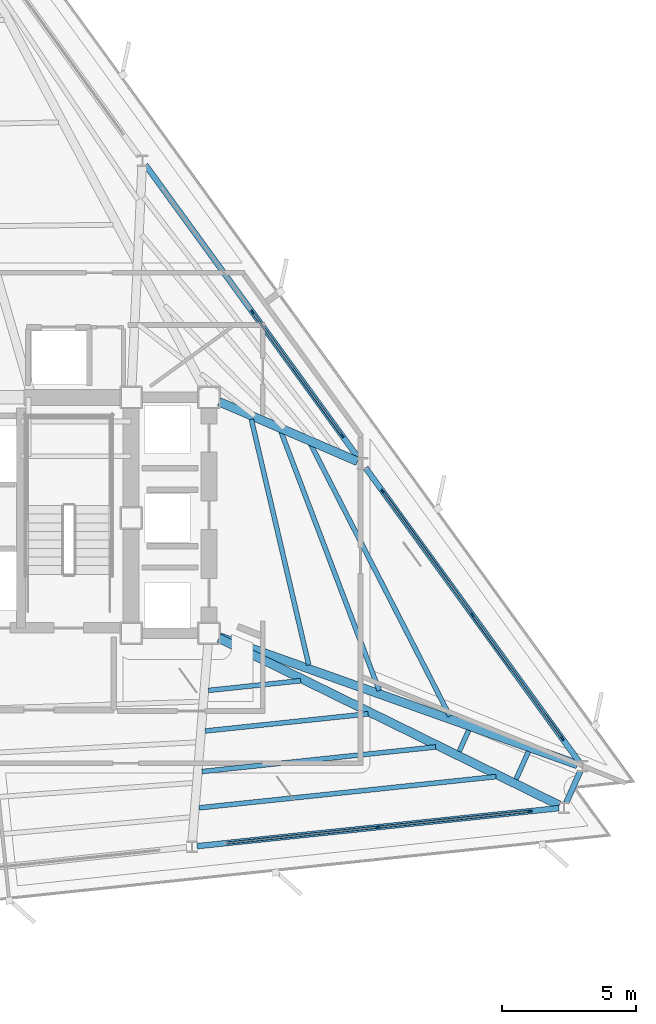
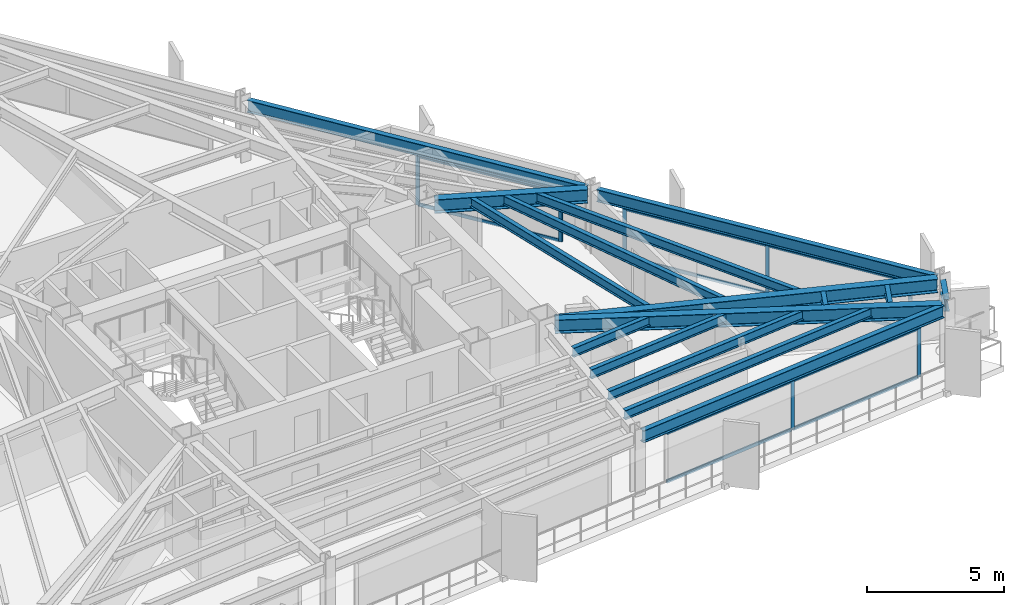
# One storey, part 5 of 12: 17 members, 16 beams, 3 elements without a shape of their own.
"""IFC4 building model written with IfcOpenShell, lengths in metres."""

from ifc_helpers import new_model, si_unit, direction, frame, origin, origin_2d, place, context, subcontext, project, spatial, rectangle, i_section, extrude, material, layer, layer_set, material_profile, profile_set, type_object, element, aggregate, save


model = new_model("IFC4")

# Units and contexts
model_context = context("Model", 3, precision=1e-05, world=origin(), true_north=direction((0.0, 1.0)))
body_context = subcontext(model_context, "Body", "Model", "MODEL_VIEW")
ifc_project = project(units=[si_unit("LENGTHUNIT", "METRE"), si_unit("AREAUNIT", "SQUARE_METRE"), si_unit("VOLUMEUNIT", "CUBIC_METRE"), si_unit("PLANEANGLEUNIT", "RADIAN"), si_unit("MASSUNIT", "GRAM", prefix="KILO")], contexts=[model_context])

# Site, building, storey
site_placement = place(None, origin())
site = spatial("IfcSite", under=ifc_project, at=site_placement, CompositionType="ELEMENT")
building_placement = place(site_placement, origin())
building = spatial("IfcBuilding", under=site, at=building_placement, Name="Rocaltana Carrier Exchange", CompositionType="ELEMENT")
storey_placement = place(building_placement, frame((0.0, 0.0, 107.679931640625)))
storey = spatial("IfcBuildingStorey", under=building, at=storey_placement, Name="L33", CompositionType="ELEMENT", Elevation=107.679931640625)

# Curtain wall, members
ifc_material_1 = material(Name="Aluminium 6063-T6", Category="aluminium")
ifc_layer = layer(ifc_material_1, 0.14990234375)
ifc_layer_set = layer_set([ifc_layer], Name="Aluminium 6063-T6")
curtain_wall_type = type_object("IfcCurtainWallType", Name="Mid-Tower Unitised Curtain Wall CW-03", PredefinedType="NOTDEFINED", material=ifc_layer_set)
curtain_wall_1_placement = place(storey_placement, origin())
curtain_wall_1 = element("IfcCurtainWall", 1, at=curtain_wall_1_placement, inside=storey, type_object=curtain_wall_type, Name="L33 CW-03 Run CW-L33-F1S1", PredefinedType="NOTDEFINED")
ifc_material_2 = material(Name="Aluminium 6063-T6", Category="aluminium")
ifc_material_profile_1 = material_profile(ifc_material_2, rectangle(XDim=0.06005859375, YDim=0.14990234375, at=origin_2d()), Name="AL-60X150")
ifc_profile_set_1 = profile_set([ifc_material_profile_1], Name="Aluminium 6063-T6")
member_type_1 = type_object("IfcMemberType", Name="CW-03 Mullion AL-60X150", PredefinedType="MULLION", material=ifc_profile_set_1)
member_1_placement = place(storey_placement, frame((22.13427734375, -8.23193359375, 0.0), z_axis=(0.0, 0.0, 1.0), x_axis=(-0.809013555195, -0.587789985889, 0.0)))
member_1 = element("IfcMember", 2, at=member_1_placement, type_object=member_type_1, Name="CW-03 mullion 1", PredefinedType="MULLION", context=body_context, shape_type="SweptSolid", body=[
    extrude(rectangle(XDim=0.06005859375, YDim=0.14990234375, at=origin_2d()), origin(), (0.0, 0.0, 1.0), 2.218017578125),
])
member_2_placement = place(storey_placement, frame((18.781982421875, -3.617919921875, 0.0), z_axis=(0.0, 0.0, 1.0), x_axis=(-0.809013555195, -0.587789985889, 0.0)))
member_2 = element("IfcMember", 3, at=member_2_placement, type_object=member_type_1, Name="CW-03 mullion 2", PredefinedType="MULLION", context=body_context, shape_type="SweptSolid", body=[
    extrude(rectangle(XDim=0.06005859375, YDim=0.14990234375, at=origin_2d()), origin(), (0.0, 0.0, 1.0), 2.218017578125),
])
member_3_placement = place(storey_placement, frame((15.429443359375, 0.99609375, 0.0), z_axis=(0.0, 0.0, 1.0), x_axis=(-0.809013555195, -0.587789985889, 0.0)))
member_3 = element("IfcMember", 4, at=member_3_placement, type_object=member_type_1, Name="CW-03 mullion 3", PredefinedType="MULLION", context=body_context, shape_type="SweptSolid", body=[
    extrude(rectangle(XDim=0.06005859375, YDim=0.14990234375, at=origin_2d()), origin(), (0.0, 0.0, 1.0), 2.218017578125),
])

curtain_wall_2_placement = place(storey_placement, origin())
curtain_wall_2 = element("IfcCurtainWall", 5, at=curtain_wall_2_placement, inside=storey, type_object=curtain_wall_type, Name="L33 CW-03 Run CW-L33-F1S2", PredefinedType="NOTDEFINED")
member_4_placement = place(storey_placement, frame((13.9248046875, 3.0673828125, 0.0), z_axis=(0.0, 0.0, 1.0), x_axis=(-0.809013555195, -0.587789985889, 0.0)))
member_4 = element("IfcMember", 6, at=member_4_placement, type_object=member_type_1, Name="CW-03 mullion 1", PredefinedType="MULLION", context=body_context, shape_type="SweptSolid", body=[
    extrude(rectangle(XDim=0.06005859375, YDim=0.14990234375, at=origin_2d()), origin(), (0.0, 0.0, 1.0), 2.218017578125),
])
member_5_placement = place(storey_placement, frame((10.572509765625, 7.681396484375, 0.0), z_axis=(0.0, 0.0, 1.0), x_axis=(-0.809013555195, -0.587789985889, 0.0)))
member_5 = element("IfcMember", 7, at=member_5_placement, type_object=member_type_1, Name="CW-03 mullion 2", PredefinedType="MULLION", context=body_context, shape_type="SweptSolid", body=[
    extrude(rectangle(XDim=0.06005859375, YDim=0.14990234375, at=origin_2d()), origin(), (0.0, 0.0, 1.0), 2.218017578125),
])

curtain_wall_3_placement = place(storey_placement, origin())
curtain_wall_3 = element("IfcCurtainWall", 8, at=curtain_wall_3_placement, inside=storey, type_object=curtain_wall_type, Name="L33 CW-03 Run CW-L33-F3S3", PredefinedType="NOTDEFINED")
member_6_placement = place(storey_placement, frame((15.256103515625, -11.536865234375, 0.0), z_axis=(0.0, 0.0, 1.0), x_axis=(-0.104521806959, 0.994522594952, 0.0)))
member_6 = element("IfcMember", 9, at=member_6_placement, type_object=member_type_1, Name="CW-03 mullion 2", PredefinedType="MULLION", context=body_context, shape_type="SweptSolid", body=[
    extrude(rectangle(XDim=0.06005859375, YDim=0.14990234375, at=origin_2d()), origin(), (0.0, 0.0, 1.0), 2.218017578125),
])
member_7_placement = place(storey_placement, frame((20.92822265625, -10.940673828125, 0.0), z_axis=(0.0, 0.0, 1.0), x_axis=(-0.104521806959, 0.994522594952, 0.0)))
member_7 = element("IfcMember", 10, at=member_7_placement, type_object=member_type_1, Name="CW-03 mullion 3", PredefinedType="MULLION", context=body_context, shape_type="SweptSolid", body=[
    extrude(rectangle(XDim=0.06005859375, YDim=0.14990234375, at=origin_2d()), origin(), (0.0, 0.0, 1.0), 2.218017578125),
])

# Member
ifc_material_3 = material(Name="Aluminium 6063-T6", Category="aluminium")
ifc_material_profile_2 = material_profile(ifc_material_3, rectangle(XDim=0.06005859375, YDim=0.14990234375, at=origin_2d()), Name="AL-60X150")
ifc_profile_set_2 = profile_set([ifc_material_profile_2], Name="Aluminium 6063-T6")
member_type_2 = type_object("IfcMemberType", Name="CW-03 Transom AL-60X150", PredefinedType="USERDEFINED", material=ifc_profile_set_2)
member_8_placement = place(storey_placement, frame((22.11669921875, -8.207763671875, 0.030029296875), z_axis=(-0.587803791035, 0.809003524866, 0.0), x_axis=(-0.809003524866, -0.587803791035, 0.0)))
member_8 = element("IfcMember", 11, at=member_8_placement, type_object=member_type_2, Name="CW-03 transom 1.1", ObjectType="TRANSOM", PredefinedType="USERDEFINED", context=body_context, shape_type="SweptSolid", body=[
    extrude(rectangle(XDim=0.06005859375, YDim=0.14990234375, at=origin_2d()), origin(), (0.0, 0.0, 1.0), 5.643310546875),
])

member_9_placement = place(storey_placement, frame((22.11669921875, -8.207763671875, 2.18798828125), z_axis=(-0.587803791035, 0.809003524866, 0.0), x_axis=(-0.809003524866, -0.587803791035, 0.0)))
member_9 = element("IfcMember", 12, at=member_9_placement, type_object=member_type_2, Name="CW-03 transom 1.2", ObjectType="TRANSOM", PredefinedType="USERDEFINED", context=body_context, shape_type="SweptSolid", body=[
    extrude(rectangle(XDim=0.06005859375, YDim=0.14990234375, at=origin_2d()), origin(), (0.0, 0.0, 1.0), 5.643310546875),
])

member_10_placement = place(storey_placement, frame((18.76416015625, -3.59375, 0.030029296875), z_axis=(-0.587754903167, 0.809039043436, 0.0), x_axis=(-0.809039043436, -0.587754903167, 0.0)))
member_10 = element("IfcMember", 13, at=member_10_placement, type_object=member_type_2, Name="CW-03 transom 2.1", ObjectType="TRANSOM", PredefinedType="USERDEFINED", context=body_context, shape_type="SweptSolid", body=[
    extrude(rectangle(XDim=0.06005859375, YDim=0.14990234375, at=origin_2d()), origin(), (0.0, 0.0, 1.0), 5.643310546875),
])

member_11_placement = place(storey_placement, frame((18.76416015625, -3.59375, 2.18798828125), z_axis=(-0.587754903167, 0.809039043436, 0.0), x_axis=(-0.809039043436, -0.587754903167, 0.0)))
member_11 = element("IfcMember", 14, at=member_11_placement, type_object=member_type_2, Name="CW-03 transom 2.2", ObjectType="TRANSOM", PredefinedType="USERDEFINED", context=body_context, shape_type="SweptSolid", body=[
    extrude(rectangle(XDim=0.06005859375, YDim=0.14990234375, at=origin_2d()), origin(), (0.0, 0.0, 1.0), 5.643310546875),
])

aggregate(curtain_wall_1, [member_1, member_2, member_3, member_8, member_9, member_10, member_11])

member_12_placement = place(storey_placement, frame((13.9072265625, 3.091552734375, 0.030029296875), z_axis=(-0.587803791035, 0.809003524866, 0.0), x_axis=(-0.809003524866, -0.587803791035, 0.0)))
member_12 = element("IfcMember", 15, at=member_12_placement, type_object=member_type_2, Name="CW-03 transom 1.1", ObjectType="TRANSOM", PredefinedType="USERDEFINED", context=body_context, shape_type="SweptSolid", body=[
    extrude(rectangle(XDim=0.06005859375, YDim=0.14990234375, at=origin_2d()), origin(), (0.0, 0.0, 1.0), 5.643310546875),
])

member_13_placement = place(storey_placement, frame((13.9072265625, 3.091552734375, 2.18798828125), z_axis=(-0.587803791035, 0.809003524866, 0.0), x_axis=(-0.809003524866, -0.587803791035, 0.0)))
member_13 = element("IfcMember", 16, at=member_13_placement, type_object=member_type_2, Name="CW-03 transom 1.2", ObjectType="TRANSOM", PredefinedType="USERDEFINED", context=body_context, shape_type="SweptSolid", body=[
    extrude(rectangle(XDim=0.06005859375, YDim=0.14990234375, at=origin_2d()), origin(), (0.0, 0.0, 1.0), 5.643310546875),
])

aggregate(curtain_wall_2, [member_4, member_5, member_12, member_13])

member_14_placement = place(storey_placement, frame((9.614013671875, -12.129638671875, 0.030029296875), z_axis=(0.99452250772, 0.104522636969, 0.0), x_axis=(-0.104522636969, 0.99452250772, 0.0)))
member_14 = element("IfcMember", 17, at=member_14_placement, type_object=member_type_2, Name="CW-03 transom 1.1", ObjectType="TRANSOM", PredefinedType="USERDEFINED", context=body_context, shape_type="SweptSolid", body=[
    extrude(rectangle(XDim=0.06005859375, YDim=0.14990234375, at=origin_2d()), origin(), (0.0, 0.0, 1.0), 5.643310546875),
])

member_15_placement = place(storey_placement, frame((9.614013671875, -12.129638671875, 2.18798828125), z_axis=(0.99452250772, 0.104522636969, 0.0), x_axis=(-0.104522636969, 0.99452250772, 0.0)))
member_15 = element("IfcMember", 18, at=member_15_placement, type_object=member_type_2, Name="CW-03 transom 1.2", ObjectType="TRANSOM", PredefinedType="USERDEFINED", context=body_context, shape_type="SweptSolid", body=[
    extrude(rectangle(XDim=0.06005859375, YDim=0.14990234375, at=origin_2d()), origin(), (0.0, 0.0, 1.0), 5.643310546875),
])

member_16_placement = place(storey_placement, frame((15.285888671875, -11.53369140625, 0.030029296875), z_axis=(0.994522980333, 0.104518140001, 0.0), x_axis=(-0.104518140001, 0.994522980333, 0.0)))
member_16 = element("IfcMember", 19, at=member_16_placement, type_object=member_type_2, Name="CW-03 transom 2.1", ObjectType="TRANSOM", PredefinedType="USERDEFINED", context=body_context, shape_type="SweptSolid", body=[
    extrude(rectangle(XDim=0.06005859375, YDim=0.14990234375, at=origin_2d()), origin(), (0.0, 0.0, 1.0), 5.6435546875),
])

member_17_placement = place(storey_placement, frame((15.285888671875, -11.53369140625, 2.18798828125), z_axis=(0.994522980333, 0.104518140001, 0.0), x_axis=(-0.104518140001, 0.994522980333, 0.0)))
member_17 = element("IfcMember", 20, at=member_17_placement, type_object=member_type_2, Name="CW-03 transom 2.2", ObjectType="TRANSOM", PredefinedType="USERDEFINED", context=body_context, shape_type="SweptSolid", body=[
    extrude(rectangle(XDim=0.06005859375, YDim=0.14990234375, at=origin_2d()), origin(), (0.0, 0.0, 1.0), 5.6435546875),
])

aggregate(curtain_wall_3, [member_6, member_7, member_14, member_15, member_16, member_17])

# Beams
ifc_material_4 = material(Name="Steel S355", Category="steel")
ifc_material_profile_3 = material_profile(ifc_material_4, i_section(OverallWidth=0.179931640625, OverallDepth=0.4130859375, WebThickness=0.009765625, FlangeThickness=0.01611328125, FilletRadius=0.012939453125, at=origin_2d()), Name="W16X50")
ifc_profile_set_3 = profile_set([ifc_material_profile_3], Name="Steel S355")
beam_type_1 = type_object("IfcBeamType", Name="Floor Joist W16X50", PredefinedType="JOIST", material=ifc_profile_set_3)
beam_1_placement = place(storey_placement, frame((12.67724609375, -5.489501953125, 2.58154296875), z_axis=(-0.227766297883, 0.973715827924, 0.0), x_axis=(-0.973715827924, -0.227766297883, 0.0)))
element("IfcBeam", 21, at=beam_1_placement, inside=storey, type_object=beam_type_1, Name="FJ-L33-01-1", PredefinedType="JOIST", context=body_context, shape_type="SweptSolid", body=[
    extrude(i_section(OverallWidth=0.179931640625, OverallDepth=0.4130859375, WebThickness=0.009765625, FlangeThickness=0.01611328125, FilletRadius=0.012939453125, at=origin_2d()), origin(), (0.0, 0.0, 1.0), 9.418701171875),
])
beam_2_placement = place(storey_placement, frame((15.305419921875, -6.439208984375, 2.58154296875), z_axis=(-0.35483732757, 0.934928056571, 0.0), x_axis=(-0.934928056571, -0.35483732757, 0.0)))
element("IfcBeam", 22, at=beam_2_placement, inside=storey, type_object=beam_type_1, Name="FJ-L33-01-2", PredefinedType="JOIST", context=body_context, shape_type="SweptSolid", body=[
    extrude(i_section(OverallWidth=0.179931640625, OverallDepth=0.4130859375, WebThickness=0.009765625, FlangeThickness=0.01611328125, FilletRadius=0.012939453125, at=origin_2d()), origin(), (0.0, 0.0, 1.0), 10.330078125),
])
beam_3_placement = place(storey_placement, frame((17.937744140625, -7.39013671875, 2.58154296875), z_axis=(-0.455649490969, 0.890159278657, 0.0), x_axis=(-0.890159278657, -0.455649490969, 0.0)))
element("IfcBeam", 23, at=beam_3_placement, inside=storey, type_object=beam_type_1, Name="FJ-L33-01-3", PredefinedType="JOIST", context=body_context, shape_type="SweptSolid", body=[
    extrude(i_section(OverallWidth=0.179931640625, OverallDepth=0.4130859375, WebThickness=0.009765625, FlangeThickness=0.01611328125, FilletRadius=0.012939453125, at=origin_2d()), origin(), (0.0, 0.0, 1.0), 11.398681640625),
])
beam_4_placement = place(storey_placement, frame((8.9326171875, -6.434814453125, 2.58154296875), z_axis=(0.994514730504, 0.104596609936, 0.0), x_axis=(-0.104596609936, 0.994514730504, 0.0)))
element("IfcBeam", 24, at=beam_4_placement, inside=storey, type_object=beam_type_1, Name="FJ-L33-11-1", PredefinedType="JOIST", context=body_context, shape_type="SweptSolid", body=[
    extrude(i_section(OverallWidth=0.179931640625, OverallDepth=0.4130859375, WebThickness=0.009765625, FlangeThickness=0.01611328125, FilletRadius=0.012939453125, at=origin_2d()), origin(), (0.0, 0.0, 1.0), 3.459228515625),
])
beam_5_placement = place(storey_placement, frame((8.811279296875, -7.948486328125, 2.58154296875), z_axis=(0.994518139026, 0.104564196304, 0.0), x_axis=(-0.104564196304, 0.994518139026, 0.0)))
element("IfcBeam", 25, at=beam_5_placement, inside=storey, type_object=beam_type_1, Name="FJ-L33-11-2", PredefinedType="JOIST", context=body_context, shape_type="SweptSolid", body=[
    extrude(i_section(OverallWidth=0.179931640625, OverallDepth=0.4130859375, WebThickness=0.009765625, FlangeThickness=0.01611328125, FilletRadius=0.012939453125, at=origin_2d()), origin(), (0.0, 0.0, 1.0), 6.112548828125),
])
beam_6_placement = place(storey_placement, frame((8.68994140625, -9.4619140625, 2.58154296875), z_axis=(0.994522683524, 0.104520964191, 0.0), x_axis=(-0.104520964191, 0.994522683524, 0.0)))
element("IfcBeam", 26, at=beam_6_placement, inside=storey, type_object=beam_type_1, Name="FJ-L33-11-3", PredefinedType="JOIST", context=body_context, shape_type="SweptSolid", body=[
    extrude(i_section(OverallWidth=0.179931640625, OverallDepth=0.4130859375, WebThickness=0.009765625, FlangeThickness=0.01611328125, FilletRadius=0.012939453125, at=origin_2d()), origin(), (0.0, 0.0, 1.0), 8.766357421875),
])
beam_7_placement = place(storey_placement, frame((8.581298828125, -10.81640625, 2.58154296875), z_axis=(0.994521531783, 0.104531922494, 0.0), x_axis=(-0.104531922494, 0.994521531783, 0.0)))
element("IfcBeam", 27, at=beam_7_placement, inside=storey, type_object=beam_type_1, Name="FJ-L33-11-4", PredefinedType="JOIST", context=body_context, shape_type="SweptSolid", body=[
    extrude(i_section(OverallWidth=0.179931640625, OverallDepth=0.4130859375, WebThickness=0.009765625, FlangeThickness=0.01611328125, FilletRadius=0.012939453125, at=origin_2d()), origin(), (0.0, 0.0, 1.0), 11.140625),
])
beam_8_placement = place(storey_placement, frame((18.289306640625, -8.71240234375, 2.58154296875), z_axis=(0.406686773762, 0.913567659261, 0.0), x_axis=(-0.913567659261, 0.406686773762, 0.0)))
element("IfcBeam", 28, at=beam_8_placement, inside=storey, type_object=beam_type_1, Name="FJ-L33-12-3", PredefinedType="JOIST", context=body_context, shape_type="SweptSolid", body=[
    extrude(i_section(OverallWidth=0.179931640625, OverallDepth=0.4130859375, WebThickness=0.009765625, FlangeThickness=0.01611328125, FilletRadius=0.012939453125, at=origin_2d()), origin(), (0.0, 0.0, 1.0), 0.867431640625),
])
beam_9_placement = place(storey_placement, frame((20.409423828125, -9.75341796875, 2.58154296875), z_axis=(0.40683553357, 0.913501422344, 0.0), x_axis=(-0.913501422344, 0.40683553357, 0.0)))
element("IfcBeam", 29, at=beam_9_placement, inside=storey, type_object=beam_type_1, Name="FJ-L33-12-4", PredefinedType="JOIST", context=body_context, shape_type="SweptSolid", body=[
    extrude(i_section(OverallWidth=0.179931640625, OverallDepth=0.4130859375, WebThickness=0.009765625, FlangeThickness=0.01611328125, FilletRadius=0.012939453125, at=origin_2d()), origin(), (0.0, 0.0, 1.0), 1.13720703125),
])
ifc_material_5 = material(Name="Steel S355", Category="steel")
ifc_material_profile_4 = material_profile(ifc_material_5, i_section(OverallWidth=0.323974609375, OverallDepth=0.611083984375, WebThickness=0.0126953125, FlangeThickness=0.01904296875, FilletRadius=0.01611328125, at=origin_2d()), Name="W24X104")
ifc_profile_set_4 = profile_set([ifc_material_profile_4], Name="Steel S355")
beam_type_2 = type_object("IfcBeamType", Name="Radial Girder W24X104", PredefinedType="BEAM", material=ifc_profile_set_4)
beam_10_placement = place(storey_placement, frame((9.3427734375, -4.43994140625, 2.482666015625), z_axis=(0.941948954034, -0.335756113861, 0.0), x_axis=(0.335756113861, 0.941948954034, 0.0)))
element("IfcBeam", 30, at=beam_10_placement, inside=storey, type_object=beam_type_2, Name="RG-L33-01", PredefinedType="BEAM", context=body_context, shape_type="SweptSolid", body=[
    extrude(i_section(OverallWidth=0.323974609375, OverallDepth=0.611083984375, WebThickness=0.0126953125, FlangeThickness=0.01904296875, FilletRadius=0.01611328125, at=origin_2d()), origin(), (0.0, 0.0, 1.0), 14.1806640625),
])
beam_11_placement = place(storey_placement, frame((9.3330078125, 4.3349609375, 2.482666015625), z_axis=(0.918343410817, -0.395784511836, 0.0), x_axis=(0.395784511836, 0.918343410817, 0.0)))
element("IfcBeam", 31, at=beam_11_placement, inside=storey, type_object=beam_type_2, Name="RG-L33-02", PredefinedType="BEAM", context=body_context, shape_type="SweptSolid", body=[
    extrude(i_section(OverallWidth=0.323974609375, OverallDepth=0.611083984375, WebThickness=0.0126953125, FlangeThickness=0.01904296875, FilletRadius=0.01611328125, at=origin_2d()), origin(), (0.0, 0.0, 1.0), 5.621337890625),
])
beam_12_placement = place(storey_placement, frame((9.32421875, -4.48388671875, 2.482666015625), z_axis=(0.897627517293, -0.440754852722, 0.0), x_axis=(0.440754852722, 0.897627517293, 0.0)))
element("IfcBeam", 32, at=beam_12_placement, inside=storey, type_object=beam_type_2, Name="RG-L33-12", PredefinedType="BEAM", context=body_context, shape_type="SweptSolid", body=[
    extrude(i_section(OverallWidth=0.323974609375, OverallDepth=0.611083984375, WebThickness=0.0126953125, FlangeThickness=0.01904296875, FilletRadius=0.01611328125, at=origin_2d()), origin(), (0.0, 0.0, 1.0), 14.1474609375),
])
ifc_material_6 = material(Name="Steel S355", Category="steel")
ifc_material_profile_5 = material_profile(ifc_material_6, i_section(OverallWidth=0.2119140625, OverallDepth=0.5439453125, WebThickness=0.01318359375, FlangeThickness=0.021240234375, FilletRadius=0.014892578125, at=origin_2d()), Name="W21X83")
ifc_profile_set_5 = profile_set([ifc_material_profile_5], Name="Steel S355")
beam_type_3 = type_object("IfcBeamType", Name="Spandrel Edge Beam W21X83", PredefinedType="SPANDREL", material=ifc_profile_set_5)
for number, where, z_axis, x_axis, name in (
    (33, (22.770263671875, -9.107421875, 2.51611328125), (-0.587777981524, 0.809022276847, 0.0), (-0.809022276847, -0.587777981524, 0.0), "SP-L33-01"),
    (34, (14.560791015625, 2.19189453125, 2.51611328125), (-0.587777981524, 0.809022276847, 0.0), (-0.809022276847, -0.587777981524, 0.0), "SP-L33-02"),
    (35, (8.508056640625, -12.24609375, 2.51611328125), (0.99452052486, 0.104541501962, 0.0), (-0.104541501962, 0.99452052486, 0.0), "SP-L33-11"),
):
    element("IfcBeam", number, at=place(storey_placement, frame(where, z_axis=z_axis, x_axis=x_axis)), inside=storey, type_object=beam_type_3, Name=name, PredefinedType="SPANDREL", context=body_context, shape_type="SweptSolid", body=[
        extrude(i_section(OverallWidth=0.2119140625, OverallDepth=0.5439453125, WebThickness=0.01318359375, FlangeThickness=0.021240234375, FilletRadius=0.014892578125, at=origin_2d()), origin(), (0.0, 0.0, 1.0), 13.57080078125),
    ])
beam_13_placement = place(storey_placement, frame((22.28173828125, -10.6259765625, 2.51611328125), z_axis=(0.40684129116, 0.913498858131, 0.0), x_axis=(-0.913498858131, 0.40684129116, 0.0)))
element("IfcBeam", 36, at=beam_13_placement, inside=storey, type_object=beam_type_3, Name="SP-L33-12", PredefinedType="SPANDREL", context=body_context, shape_type="SweptSolid", body=[
    extrude(i_section(OverallWidth=0.2119140625, OverallDepth=0.5439453125, WebThickness=0.01318359375, FlangeThickness=0.021240234375, FilletRadius=0.014892578125, at=origin_2d()), origin(), (0.0, 0.0, 1.0), 1.2890625),
])

save(model, "model.ifc")
